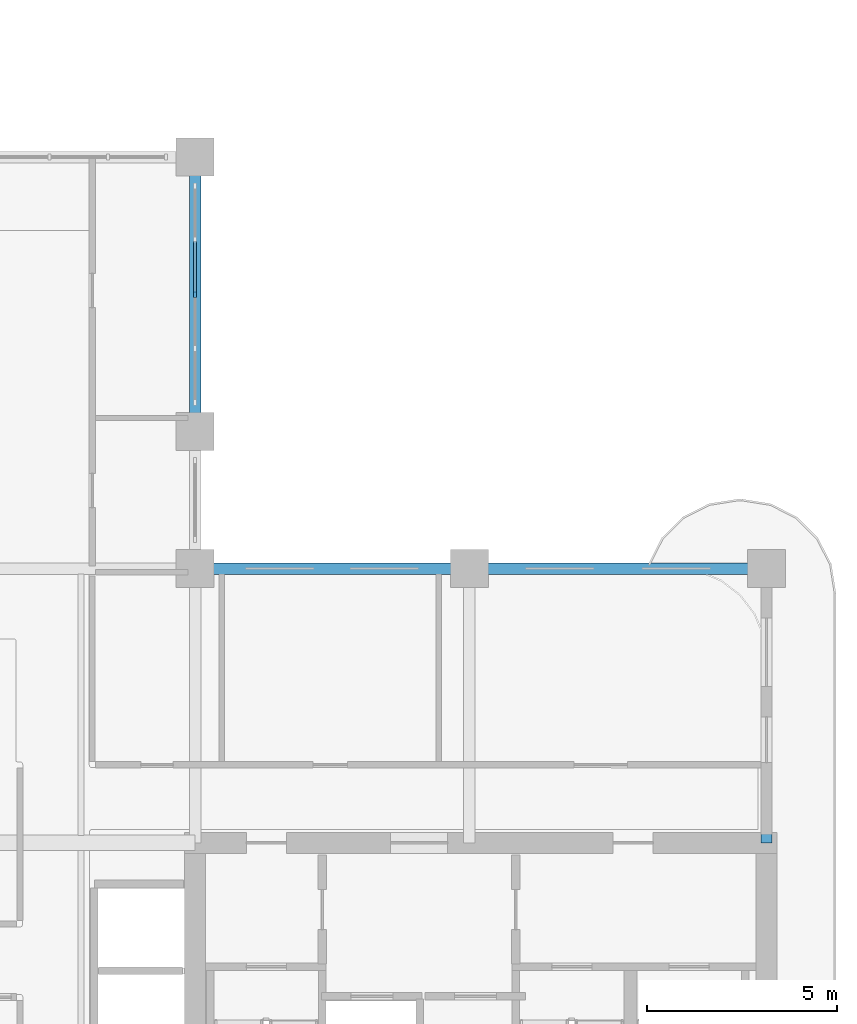
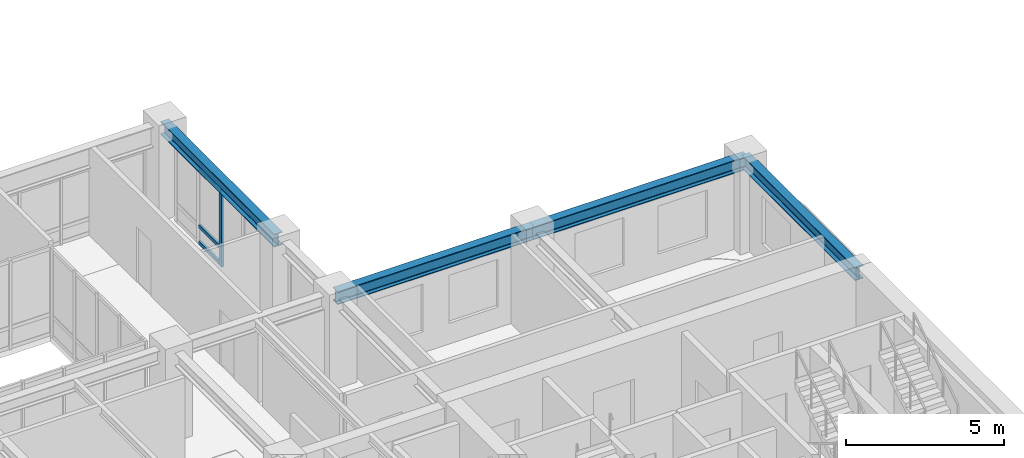
# One storey, part 4 of 20: 4 beams, 4 members, 1 element without a shape of its own.
"""IFC4 building model written with IfcOpenShell, lengths in metres."""

from ifc_helpers import new_model, si_unit, derived_unit, direction, frame, origin, origin_2d, place, context, subcontext, project, spatial, rectangle, i_section, extrude, source, transform, mapped, material, layer, layer_set, material_profile, profile_set, type_object, type_shapes, element, aggregate, save


model = new_model("IFC4")

# Units and contexts
model_context = context("Model", 3, precision=1e-05, world=origin(), true_north=direction((0.0, 1.0)))
body_context = subcontext(model_context, "Body", "Model", "MODEL_VIEW")
ifc_project = project(units=[si_unit("LENGTHUNIT", "METRE"), si_unit("AREAUNIT", "SQUARE_METRE"), si_unit("VOLUMEUNIT", "CUBIC_METRE"), si_unit("PLANEANGLEUNIT", "RADIAN"), si_unit("MASSUNIT", "GRAM", prefix="KILO"), si_unit("THERMODYNAMICTEMPERATUREUNIT", "KELVIN"), si_unit("POWERUNIT", "WATT"), derived_unit("THERMALTRANSMITTANCEUNIT", [(si_unit("POWERUNIT", "WATT"), 1), (si_unit("AREAUNIT", "SQUARE_METRE"), -1), (si_unit("THERMODYNAMICTEMPERATUREUNIT", "KELVIN"), -1)])], contexts=[model_context])

# Site, building, storey
site_placement = place(None, origin())
site = spatial("IfcSite", under=ifc_project, at=site_placement, CompositionType="ELEMENT")
building_placement = place(site_placement, origin())
building = spatial("IfcBuilding", under=site, at=building_placement, Name="Zahravan Archway Hotel and Residences", CompositionType="ELEMENT")
storey_placement = place(building_placement, frame((0.0, 0.0, 119.199951171875)))
storey = spatial("IfcBuildingStorey", under=building, at=storey_placement, Name="L29", CompositionType="ELEMENT", Elevation=119.199951171875)

# Beams
ifc_material_1 = material(Name="Structural Steel S355JR", Category="steel")
ifc_material_profile_1 = material_profile(ifc_material_1, i_section(OverallWidth=0.300048828125, OverallDepth=0.5, WebThickness=0.014404296875, FlangeThickness=0.028076171875, FilletRadius=0.027099609375, at=origin_2d()), Name="HEB 500", Category="steel")
ifc_profile_set_1 = profile_set([ifc_material_profile_1], Name="Structural Steel S355JR")
beam_type = type_object("IfcBeamType", Name="BM-PRI-HEB500", PredefinedType="BEAM", material=ifc_profile_set_1)
shared_shape_1 = source(origin(), body_context, "Body", "SweptSolid", [
    extrude(i_section(OverallWidth=0.300048828125, OverallDepth=0.5, WebThickness=0.014404296875, FlangeThickness=0.028076171875, FilletRadius=0.027099609375, at=origin_2d()), origin(), (0.0, 0.0, 1.0), 7.2001953125),
])
type_shapes(beam_type, [shared_shape_1])
beam_1_placement = place(storey_placement, frame((49.800048828125, 14.39990234375, 3.199951171875), z_axis=(0.0, 1.0, 0.0), x_axis=(-1.0, 0.0, 0.0)))
element("IfcBeam", 1, at=beam_1_placement, inside=storey, type_object=beam_type, Name="L29 Primary Girder NS-45", PredefinedType="BEAM", context=body_context, shape_type="MappedRepresentation", body=[
    mapped(shared_shape_1, transform((0.0, 0.0, 0.0), scale=1.0)),
])
shared_shape_2 = source(origin(), body_context, "Body", "SweptSolid", [
    extrude(i_section(OverallWidth=0.300048828125, OverallDepth=0.5, WebThickness=0.014404296875, FlangeThickness=0.028076171875, FilletRadius=0.027099609375, at=origin_2d()), origin(), (0.0, 0.0, 1.0), 7.199951171875),
])
for number, where, z_axis, x_axis, name in (
    (2, (34.800048828125, 21.60009765625, 3.199951171875), (1.0, 0.0, 0.0), (0.0, 1.0, 0.0), "L29 Primary Girder EW-14"),
    (3, (34.800048828125, 25.199951171875, 3.199951171875), (0.0, 1.0, 0.0), (-1.0, 0.0, 0.0), "L29 Primary Girder NS-43"),
):
    element("IfcBeam", number, at=place(storey_placement, frame(where, z_axis=z_axis, x_axis=x_axis)), inside=storey, type_object=beam_type, Name=name, PredefinedType="BEAM", context=body_context, shape_type="MappedRepresentation", body=[
        mapped(shared_shape_2, transform((0.0, 0.0, 0.0), scale=1.0)),
    ])
shared_shape_3 = source(origin(), body_context, "Body", "SweptSolid", [
    extrude(i_section(OverallWidth=0.300048828125, OverallDepth=0.5, WebThickness=0.014404296875, FlangeThickness=0.028076171875, FilletRadius=0.027099609375, at=origin_2d()), origin(), (0.0, 0.0, 1.0), 7.800048828125),
])
beam_2_placement = place(storey_placement, frame((42.0, 21.60009765625, 3.199951171875), z_axis=(1.0, 0.0, 0.0), x_axis=(0.0, 1.0, 0.0)))
element("IfcBeam", 4, at=beam_2_placement, inside=storey, type_object=beam_type, Name="L29 Primary Girder EW-15", PredefinedType="BEAM", context=body_context, shape_type="MappedRepresentation", body=[
    mapped(shared_shape_3, transform((0.0, 0.0, 0.0), scale=1.0)),
])

# Curtain wall, members
ifc_material_2 = material(Name="Bronze-Anodized Unitised Aluminium & Low-E Glass", Category="aluminium")
ifc_layer = layer(ifc_material_2, 0.179931640625, Name="Bronze-Anodized Unitised Aluminium & Low-E Glass", Category="aluminium")
ifc_layer_set = layer_set([ifc_layer], Name="Bronze-Anodized Unitised Aluminium & Low-E Glass")
curtain_wall_type = type_object("IfcCurtainWallType", Name="CW-ATR-GLAZ", PredefinedType="NOTDEFINED", material=ifc_layer_set)
curtain_wall_placement = place(storey_placement, origin())
curtain_wall = element("IfcCurtainWall", 5, at=curtain_wall_placement, inside=storey, type_object=curtain_wall_type, Name="L29 Curtain Wall CW-L29-HNG-E-2", PredefinedType="NOTDEFINED")
ifc_material_3 = material(Name="Bronze-Anodized Extruded Aluminium", Category="aluminium")
ifc_material_profile_2 = material_profile(ifc_material_3, rectangle(XDim=0.080078125, YDim=0.139892578125, at=origin_2d()), Name="TRN 80x140", Category="aluminium")
ifc_profile_set_2 = profile_set([ifc_material_profile_2], Name="Bronze-Anodized Extruded Aluminium")
member_type_1 = type_object("IfcMemberType", Name="CWM-TRN-140", PredefinedType="USERDEFINED", material=ifc_profile_set_2)
shared_shape_4 = source(origin(), body_context, "Body", "SweptSolid", [
    extrude(rectangle(XDim=0.080078125, YDim=0.139892578125, at=origin_2d()), origin(), (0.0, 0.0, 1.0), 1.33984375),
])
member_1_placement = place(storey_placement, frame((34.800048828125, 28.840087890625, 0.070068359375), z_axis=(0.0, 1.0, 0.0), x_axis=(-1.0, 0.0, 0.0)))
member_1 = element("IfcMember", 6, at=member_1_placement, type_object=member_type_1, Name="CW-L29-HNG-E-2 Transom 2-1", ObjectType="TRANSOM", PredefinedType="USERDEFINED", context=body_context, shape_type="MappedRepresentation", body=[
    mapped(shared_shape_4, transform((0.0, 0.0, 0.0), scale=1.0)),
])
member_2_placement = place(storey_placement, frame((34.800048828125, 28.840087890625, 0.704345703125), z_axis=(0.0, 1.0, 0.0), x_axis=(-1.0, 0.0, 0.0)))
member_2 = element("IfcMember", 7, at=member_2_placement, type_object=member_type_1, Name="CW-L29-HNG-E-2 Transom 2-2", ObjectType="TRANSOM", PredefinedType="USERDEFINED", context=body_context, shape_type="MappedRepresentation", body=[
    mapped(shared_shape_4, transform((0.0, 0.0, 0.0), scale=1.0)),
])
member_3_placement = place(storey_placement, frame((34.800048828125, 28.840087890625, 2.864990234375), z_axis=(0.0, 1.0, 0.0), x_axis=(-1.0, 0.0, 0.0)))
member_3 = element("IfcMember", 8, at=member_3_placement, type_object=member_type_1, Name="CW-L29-HNG-E-2 Transom 2-3", ObjectType="TRANSOM", PredefinedType="USERDEFINED", context=body_context, shape_type="MappedRepresentation", body=[
    mapped(shared_shape_4, transform((0.0, 0.0, 0.0), scale=1.0)),
])
ifc_material_profile_3 = material_profile(ifc_material_3, rectangle(XDim=0.080078125, YDim=0.159912109375, at=origin_2d()), Name="MUL 80x160", Category="aluminium")
ifc_profile_set_3 = profile_set([ifc_material_profile_3], Name="Bronze-Anodized Extruded Aluminium")
member_type_2 = type_object("IfcMemberType", Name="CWM-MUL-160", PredefinedType="MULLION", material=ifc_profile_set_3)
shared_shape_5 = source(origin(), body_context, "Body", "SweptSolid", [
    extrude(rectangle(XDim=0.080078125, YDim=0.159912109375, at=origin_2d()), origin(), (0.0, 0.0, 1.0), 2.93505859375),
])
member_4_placement = place(storey_placement, frame((34.800048828125, 28.800048828125, 0.0), z_axis=(0.0, 0.0, 1.0), x_axis=(1.0, 0.0, 0.0)))
member_4 = element("IfcMember", 9, at=member_4_placement, type_object=member_type_2, Name="CW-L29-HNG-E-2 Mullion 2", PredefinedType="MULLION", context=body_context, shape_type="MappedRepresentation", body=[
    mapped(shared_shape_5, transform((0.0, 0.0, 0.0), scale=1.0)),
])
aggregate(curtain_wall, [member_4, member_1, member_2, member_3])

save(model, "model.ifc")
